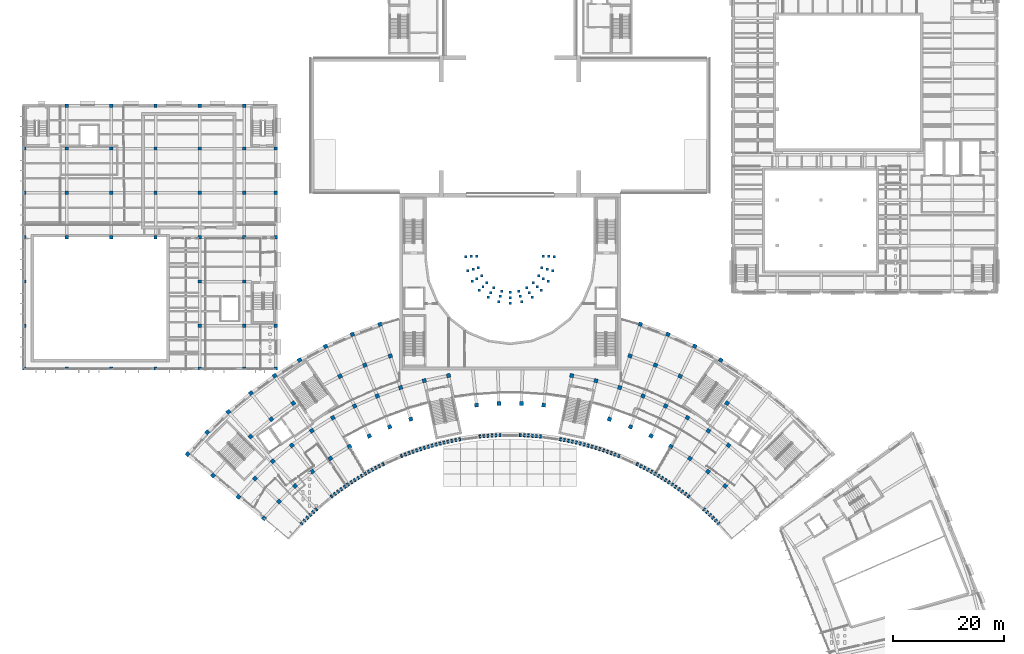
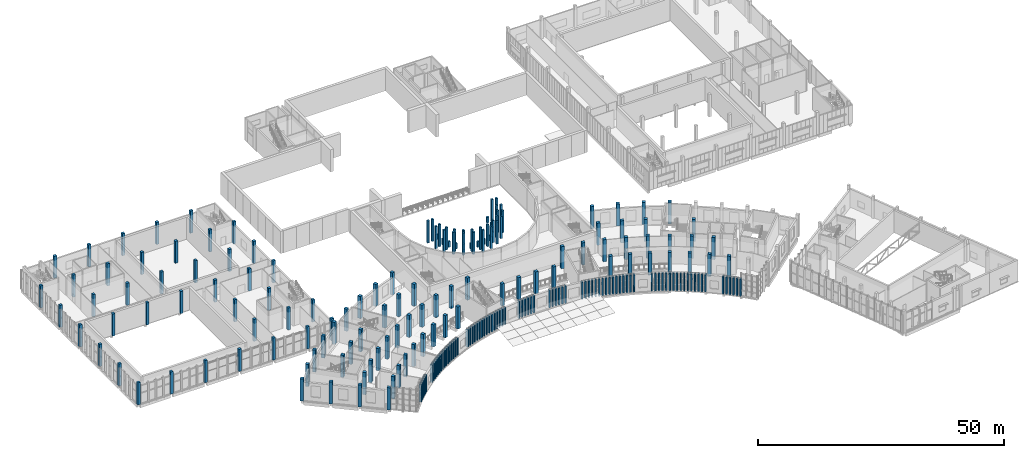
# One storey, part 1 of 112: 230 columns.
"""IFC4 building model written with IfcOpenShell, lengths in metres."""

from ifc_helpers import new_model, si_unit, direction, frame, origin, origin_2d, place, context, subcontext, project, spatial, rectangle, extrude, material, material_profile, profile_set, type_object, element, save


model = new_model("IFC4")

# Units and contexts
model_context = context("Model", 3, precision=1e-05, world=origin(), true_north=direction((0.0, 1.0)))
body_context = subcontext(model_context, "Body", "Model", "MODEL_VIEW")
ifc_project = project(units=[si_unit("LENGTHUNIT", "METRE"), si_unit("AREAUNIT", "SQUARE_METRE"), si_unit("VOLUMEUNIT", "CUBIC_METRE"), si_unit("PLANEANGLEUNIT", "RADIAN"), si_unit("MASSUNIT", "GRAM", prefix="KILO")], contexts=[model_context])

# Site, building, storey
site_placement = place(None, origin())
site = spatial("IfcSite", under=ifc_project, at=site_placement, CompositionType="ELEMENT")
building_placement = place(site_placement, origin())
building = spatial("IfcBuilding", under=site, at=building_placement, Name="Lunette Opera House", CompositionType="ELEMENT")
storey_placement = place(building_placement, frame((0.0, 0.0, 6.0)))
storey = spatial("IfcBuildingStorey", under=building, at=storey_placement, Name="L01", CompositionType="ELEMENT", Elevation=6.0)

# Columns
ifc_material_1 = material(Name="Concrete C40/50", Category="concrete")
ifc_material_profile_1 = material_profile(ifc_material_1, rectangle(XDim=0.300048828125, YDim=0.60009765625, at=origin_2d()), Name="PIER 300X600")
ifc_profile_set_1 = profile_set([ifc_material_profile_1], Name="Concrete C40/50")
column_type_1 = type_object("IfcColumnType", Name="PIER 300X600", PredefinedType="COLUMN", material=ifc_profile_set_1)
for number, where, z_axis, x_axis, name in (
    (1, (58.37890625, 36.3310546875, 0.0), (0.0, 0.0, 1.0), (0.694658370459, 0.719339800339, 0.0), "col-FC-L01-P001"),
    (2, (58.888916015625, 36.85205078125, 0.0), (0.0, 0.0, 1.0), (0.704634209964, 0.709570736537, 0.0), "col-FC-L01-P002"),
    (3, (59.407958984375, 37.366943359375, 0.0), (0.0, 0.0, 1.0), (0.714472679633, 0.699663340513, 0.0), "col-FC-L01-P003"),
    (4, (59.93310546875, 37.8740234375, 0.0), (0.0, 0.0, 1.0), (0.724171861437, 0.689619543736, 0.0), "col-FC-L01-P004"),
    (5, (60.465087890625, 38.3740234375, 0.0), (0.0, 0.0, 1.0), (0.733729864503, 0.679441304262, 0.0), "col-FC-L01-P005"),
    (6, (61.00390625, 38.865966796875, 0.0), (0.0, 0.0, 1.0), (0.743144825477, 0.669130606359, 0.0), "col-FC-L01-P006"),
    (7, (63.801025390625, 41.212890625, 0.0), (0.0, 0.0, 1.0), (0.788010753607, 0.615661475326, 0.0), "col-FC-L01-P007"),
    (8, (64.37890625, 41.658935546875, 0.0), (0.0, 0.0, 1.0), (0.796529918024, 0.604599114862, 0.0), "col-FC-L01-P008"),
    (9, (64.964111328125, 42.095947265625, 0.0), (0.0, 0.0, 1.0), (0.804893797356, 0.593418886604, 0.0), "col-FC-L01-P009"),
    (10, (65.554931640625, 42.52490234375, 0.0), (0.0, 0.0, 1.0), (0.813100761047, 0.582122970157, 0.0), "col-FC-L01-P010"),
    (11, (66.152099609375, 42.946044921875, 0.0), (0.0, 0.0, 1.0), (0.821149209134, 0.570713567684, 0.0), "col-FC-L01-P011"),
    (12, (66.75390625, 43.35888671875, 0.0), (0.0, 0.0, 1.0), (0.829037572555, 0.559192903471, 0.0), "col-FC-L01-P012"),
    (13, (67.362060546875, 43.762939453125, 0.0), (0.0, 0.0, 1.0), (0.836764313459, 0.547563223493, 0.0), "col-FC-L01-P013"),
    (14, (67.97607421875, 44.157958984375, 0.0), (0.0, 0.0, 1.0), (0.844327925502, 0.535826794979, 0.0), "col-FC-L01-P014"),
    (15, (68.595947265625, 44.544921875, 0.0), (0.0, 0.0, 1.0), (0.851726934143, 0.52398590597, 0.0), "col-FC-L01-P015"),
    (16, (69.219970703125, 44.924072265625, 0.0), (0.0, 0.0, 1.0), (0.858959896931, 0.512042864871, 0.0), "col-FC-L01-P016"),
    (17, (69.85009765625, 45.29296875, 0.0), (0.0, 0.0, 1.0), (0.866025403784, 0.5, 0.0), "col-FC-L01-P017"),
    (18, (70.485107421875, 45.654052734375, 0.0), (0.0, 0.0, 1.0), (0.87292207727, 0.487859659139, 0.0), "col-FC-L01-P018"),
    (19, (71.125, 46.006103515625, 0.0), (0.0, 0.0, 1.0), (0.879648572867, 0.47562420907, 0.0), "col-FC-L01-P019"),
    (20, (71.77001953125, 46.347900390625, 0.0), (0.0, 0.0, 1.0), (0.886203579231, 0.46329603512, 0.0), "col-FC-L01-P020"),
    (21, (72.4189453125, 46.681884765625, 0.0), (0.0, 0.0, 1.0), (0.892585818452, 0.450877540689, 0.0), "col-FC-L01-P021"),
    (22, (73.072998046875, 47.007080078125, 0.0), (0.0, 0.0, 1.0), (0.898794046299, 0.438371146789, 0.0), "col-FC-L01-P022"),
    (23, (76.407958984375, 48.491943359375, 0.0), (0.0, 0.0, 1.0), (0.927183854567, 0.374606593416, 0.0), "col-FC-L01-P023"),
    (24, (77.0869140625, 48.760986328125, 0.0), (0.0, 0.0, 1.0), (0.932323801216, 0.361624570082, 0.0), "col-FC-L01-P024"),
    (25, (77.77001953125, 49.02001953125, 0.0), (0.0, 0.0, 1.0), (0.937281989492, 0.348572047322, 0.0), "col-FC-L01-P025"),
    (26, (78.4560546875, 49.27001953125, 0.0), (0.0, 0.0, 1.0), (0.942057452787, 0.33545156975, 0.0), "col-FC-L01-P026"),
    (27, (79.14599609375, 49.510009765625, 0.0), (0.0, 0.0, 1.0), (0.946649260116, 0.322265695231, 0.0), "col-FC-L01-P027"),
    (28, (79.837890625, 49.739990234375, 0.0), (0.0, 0.0, 1.0), (0.951056516295, 0.309016994375, 0.0), "col-FC-L01-P028"),
    (29, (80.533935546875, 49.9609375, 0.0), (0.0, 0.0, 1.0), (0.955278362122, 0.295708050044, 0.0), "col-FC-L01-P029"),
    (30, (81.23388671875, 50.172119140625, 0.0), (0.0, 0.0, 1.0), (0.95931397454, 0.282341456843, 0.0), "col-FC-L01-P030"),
    (31, (81.93505859375, 50.373046875, 0.0), (0.0, 0.0, 1.0), (0.963162566798, 0.268919820615, 0.0), "col-FC-L01-P031"),
    (32, (82.639892578125, 50.56494140625, 0.0), (0.0, 0.0, 1.0), (0.966823388604, 0.255445757936, 0.0), "col-FC-L01-P032"),
    (33, (83.346923828125, 50.74609375, 0.0), (0.0, 0.0, 1.0), (0.970295726276, 0.2419218956, 0.0), "col-FC-L01-P033"),
    (34, (84.056884765625, 50.91796875, 0.0), (0.0, 0.0, 1.0), (0.973578902873, 0.228350870111, 0.0), "col-FC-L01-P034"),
    (35, (84.76904296875, 51.080078125, 0.0), (0.0, 0.0, 1.0), (0.976672278334, 0.214735327167, 0.0), "col-FC-L01-P035"),
    (36, (85.48388671875, 51.23193359375, 0.0), (0.0, 0.0, 1.0), (0.979575249599, 0.201077921146, 0.0), "col-FC-L01-P036"),
    (37, (86.199951171875, 51.3740234375, 0.0), (0.0, 0.0, 1.0), (0.982287250729, 0.187381314586, 0.0), "col-FC-L01-P037"),
    (38, (86.91796875, 51.5048828125, 0.0), (0.0, 0.0, 1.0), (0.984807753012, 0.173648177667, 0.0), "col-FC-L01-P038"),
    (39, (90.532958984375, 52.012939453125, 0.0), (0.0, 0.0, 1.0), (0.994521895368, 0.104528463268, 0.0), "col-FC-L01-P039"),
    (40, (91.260009765625, 52.0849609375, 0.0), (0.0, 0.0, 1.0), (0.995884398616, 0.090632580198, 0.0), "col-FC-L01-P040"),
    (41, (91.988037109375, 52.14599609375, 0.0), (0.0, 0.0, 1.0), (0.997052752227, 0.076719028127, 0.0), "col-FC-L01-P041"),
    (42, (92.716064453125, 52.197021484375, 0.0), (0.0, 0.0, 1.0), (0.998026728428, 0.062790519529, 0.0), "col-FC-L01-P042"),
    (43, (93.445068359375, 52.238037109375, 0.0), (0.0, 0.0, 1.0), (0.998806137341, 0.048849769796, 0.0), "col-FC-L01-P043"),
    (44, (94.175048828125, 52.26806640625, 0.0), (0.0, 0.0, 1.0), (0.999390827019, 0.034899496703, 0.0), "col-FC-L01-P044"),
    (45, (97.824951171875, 52.26806640625, 0.0), (0.0, 0.0, 1.0), (0.999390827019, -0.034899496703, 0.0), "col-FC-L01-P045"),
    (46, (98.554931640625, 52.238037109375, 0.0), (0.0, 0.0, 1.0), (0.998806137341, -0.048849769796, 0.0), "col-FC-L01-P046"),
    (47, (99.283935546875, 52.197021484375, 0.0), (0.0, 0.0, 1.0), (0.998026728428, -0.062790519529, 0.0), "col-FC-L01-P047"),
    (48, (100.011962890625, 52.14599609375, 0.0), (0.0, 0.0, 1.0), (0.997052752227, -0.076719028127, 0.0), "col-FC-L01-P048"),
    (49, (100.739990234375, 52.0849609375, 0.0), (0.0, 0.0, 1.0), (0.995884398616, -0.090632580198, 0.0), "col-FC-L01-P049"),
    (50, (101.467041015625, 52.012939453125, 0.0), (0.0, 0.0, 1.0), (0.994521895368, -0.104528463268, 0.0), "col-FC-L01-P050"),
    (51, (105.08203125, 51.5048828125, 0.0), (0.0, 0.0, 1.0), (0.984807753012, -0.173648177667, 0.0), "col-FC-L01-P051"),
    (52, (105.800048828125, 51.3740234375, 0.0), (0.0, 0.0, 1.0), (0.982287250729, -0.187381314586, 0.0), "col-FC-L01-P052"),
    (53, (106.51611328125, 51.23193359375, 0.0), (0.0, 0.0, 1.0), (0.979575249599, -0.201077921146, 0.0), "col-FC-L01-P053"),
    (54, (107.23095703125, 51.080078125, 0.0), (0.0, 0.0, 1.0), (0.976672278334, -0.214735327167, 0.0), "col-FC-L01-P054"),
    (55, (107.943115234375, 50.91796875, 0.0), (0.0, 0.0, 1.0), (0.973578902873, -0.228350870111, 0.0), "col-FC-L01-P055"),
    (56, (108.653076171875, 50.74609375, 0.0), (0.0, 0.0, 1.0), (0.970295726276, -0.2419218956, 0.0), "col-FC-L01-P056"),
    (57, (109.360107421875, 50.56494140625, 0.0), (0.0, 0.0, 1.0), (0.966823388604, -0.255445757936, 0.0), "col-FC-L01-P057"),
    (58, (110.06494140625, 50.373046875, 0.0), (0.0, 0.0, 1.0), (0.963162566798, -0.268919820615, 0.0), "col-FC-L01-P058"),
    (59, (110.76611328125, 50.172119140625, 0.0), (0.0, 0.0, 1.0), (0.95931397454, -0.282341456843, 0.0), "col-FC-L01-P059"),
    (60, (111.466064453125, 49.9609375, 0.0), (0.0, 0.0, 1.0), (0.955278362122, -0.295708050044, 0.0), "col-FC-L01-P060"),
    (61, (112.162109375, 49.739990234375, 0.0), (0.0, 0.0, 1.0), (0.951056516295, -0.309016994375, 0.0), "col-FC-L01-P061"),
    (62, (112.85400390625, 49.510009765625, 0.0), (0.0, 0.0, 1.0), (0.946649260116, -0.322265695231, 0.0), "col-FC-L01-P062"),
    (63, (113.5439453125, 49.27001953125, 0.0), (0.0, 0.0, 1.0), (0.942057452787, -0.33545156975, 0.0), "col-FC-L01-P063"),
    (64, (114.22998046875, 49.02001953125, 0.0), (0.0, 0.0, 1.0), (0.937281989492, -0.348572047322, 0.0), "col-FC-L01-P064"),
    (65, (114.9130859375, 48.760986328125, 0.0), (0.0, 0.0, 1.0), (0.932323801216, -0.361624570082, 0.0), "col-FC-L01-P065"),
    (66, (115.592041015625, 48.491943359375, 0.0), (0.0, 0.0, 1.0), (0.927183854567, -0.374606593416, 0.0), "col-FC-L01-P066"),
    (67, (118.927001953125, 47.007080078125, 0.0), (0.0, 0.0, 1.0), (0.898794046299, -0.438371146789, 0.0), "col-FC-L01-P067"),
    (68, (119.5810546875, 46.681884765625, 0.0), (0.0, 0.0, 1.0), (0.892585818452, -0.450877540689, 0.0), "col-FC-L01-P068"),
    (69, (120.22998046875, 46.347900390625, 0.0), (0.0, 0.0, 1.0), (0.886203579231, -0.46329603512, 0.0), "col-FC-L01-P069"),
    (70, (120.875, 46.006103515625, 0.0), (0.0, 0.0, 1.0), (0.879648572867, -0.47562420907, 0.0), "col-FC-L01-P070"),
    (71, (121.514892578125, 45.654052734375, 0.0), (0.0, 0.0, 1.0), (0.87292207727, -0.487859659139, 0.0), "col-FC-L01-P071"),
    (72, (122.14990234375, 45.29296875, 0.0), (0.0, 0.0, 1.0), (0.866025403784, -0.5, 0.0), "col-FC-L01-P072"),
    (73, (122.780029296875, 44.924072265625, 0.0), (0.0, 0.0, 1.0), (0.858959896931, -0.512042864871, 0.0), "col-FC-L01-P073"),
    (74, (123.404052734375, 44.544921875, 0.0), (0.0, 0.0, 1.0), (0.851726934143, -0.52398590597, 0.0), "col-FC-L01-P074"),
    (75, (124.02392578125, 44.157958984375, 0.0), (0.0, 0.0, 1.0), (0.844327925502, -0.535826794979, 0.0), "col-FC-L01-P075"),
    (76, (124.637939453125, 43.762939453125, 0.0), (0.0, 0.0, 1.0), (0.836764313459, -0.547563223493, 0.0), "col-FC-L01-P076"),
    (77, (125.24609375, 43.35888671875, 0.0), (0.0, 0.0, 1.0), (0.829037572555, -0.559192903471, 0.0), "col-FC-L01-P077"),
    (78, (125.847900390625, 42.946044921875, 0.0), (0.0, 0.0, 1.0), (0.821149209134, -0.570713567684, 0.0), "col-FC-L01-P078"),
    (79, (126.445068359375, 42.52490234375, 0.0), (0.0, 0.0, 1.0), (0.813100761047, -0.582122970157, 0.0), "col-FC-L01-P079"),
    (80, (127.035888671875, 42.095947265625, 0.0), (0.0, 0.0, 1.0), (0.804893797356, -0.593418886604, 0.0), "col-FC-L01-P080"),
    (81, (127.62109375, 41.658935546875, 0.0), (0.0, 0.0, 1.0), (0.796529918024, -0.604599114862, 0.0), "col-FC-L01-P081"),
    (82, (128.198974609375, 41.212890625, 0.0), (0.0, 0.0, 1.0), (0.788010753607, -0.615661475326, 0.0), "col-FC-L01-P082"),
    (83, (130.99609375, 38.865966796875, 0.0), (0.0, 0.0, 1.0), (0.743144825477, -0.669130606359, 0.0), "col-FC-L01-P083"),
    (84, (131.534912109375, 38.3740234375, 0.0), (0.0, 0.0, 1.0), (0.733729864503, -0.679441304262, 0.0), "col-FC-L01-P084"),
    (85, (132.06689453125, 37.8740234375, 0.0), (0.0, 0.0, 1.0), (0.724171861437, -0.689619543736, 0.0), "col-FC-L01-P085"),
    (86, (132.592041015625, 37.366943359375, 0.0), (0.0, 0.0, 1.0), (0.714472679633, -0.699663340513, 0.0), "col-FC-L01-P086"),
    (87, (133.111083984375, 36.85205078125, 0.0), (0.0, 0.0, 1.0), (0.704634209964, -0.709570736537, 0.0), "col-FC-L01-P087"),
    (88, (133.62109375, 36.3310546875, 0.0), (0.0, 0.0, 1.0), (0.694658370459, -0.719339800339, 0.0), "col-FC-L01-P088"),
):
    element("IfcColumn", number, at=place(storey_placement, frame(where, z_axis=z_axis, x_axis=x_axis)), inside=storey, type_object=column_type_1, Name=name, PredefinedType="COLUMN", context=body_context, shape_type="SweptSolid", body=[
        extrude(rectangle(XDim=0.300048828125, YDim=0.60009765625, at=origin_2d()), origin(), (0.0, 0.0, 1.0), 4.300048828125),
    ])
ifc_material_2 = material(Name="Concrete C40/50", Category="concrete")
ifc_material_profile_2 = material_profile(ifc_material_2, rectangle(XDim=0.449951171875, YDim=0.449951171875, at=origin_2d()), Name="RC COLUMN 450X450")
ifc_profile_set_2 = profile_set([ifc_material_profile_2], Name="Concrete C40/50")
column_type_2 = type_object("IfcColumnType", Name="RC COLUMN 450X450", PredefinedType="COLUMN", material=ifc_profile_set_2)
for number, where, z_axis, x_axis, name in (
    (89, (90.0, 84.590087890625, 0.0), (0.0, 0.0, 1.0), (1.0, 0.0, 0.0), "col-AU-L01-TCL02-1"),
    (90, (90.279052734375, 82.467041015625, 0.0), (0.0, 0.0, 1.0), (1.0, 0.0, 0.0), "col-AU-L01-TCL02-2"),
    (91, (90.87109375, 81.0390625, 0.0), (0.0, 0.0, 1.0), (1.0, 0.0, 0.0), "col-AU-L01-TCL02-3"),
    (92, (91.81201171875, 79.81201171875, 0.0), (0.0, 0.0, 1.0), (1.0, 0.0, 0.0), "col-AU-L01-TCL02-4"),
    (93, (93.0390625, 78.87109375, 0.0), (0.0, 0.0, 1.0), (1.0, 0.0, 0.0), "col-AU-L01-TCL02-5"),
    (94, (94.467041015625, 78.279052734375, 0.0), (0.0, 0.0, 1.0), (1.0, 0.0, 0.0), "col-AU-L01-TCL02-6"),
    (95, (96.0, 78.077880859375, 0.0), (0.0, 0.0, 1.0), (1.0, 0.0, 0.0), "col-AU-L01-TCL02-7"),
    (96, (97.532958984375, 78.279052734375, 0.0), (0.0, 0.0, 1.0), (1.0, 0.0, 0.0), "col-AU-L01-TCL02-8"),
    (97, (98.9609375, 78.87109375, 0.0), (0.0, 0.0, 1.0), (1.0, 0.0, 0.0), "col-AU-L01-TCL02-9"),
    (98, (100.18798828125, 79.81201171875, 0.0), (0.0, 0.0, 1.0), (1.0, 0.0, 0.0), "col-AU-L01-TCL02-10"),
    (99, (101.12890625, 81.0390625, 0.0), (0.0, 0.0, 1.0), (1.0, 0.0, 0.0), "col-AU-L01-TCL02-11"),
    (100, (101.720947265625, 82.467041015625, 0.0), (0.0, 0.0, 1.0), (1.0, 0.0, 0.0), "col-AU-L01-TCL02-12"),
    (101, (102.0, 84.590087890625, 0.0), (0.0, 0.0, 1.0), (1.0, 0.0, 0.0), "col-AU-L01-TCL02-13"),
):
    element("IfcColumn", number, at=place(storey_placement, frame(where, z_axis=z_axis, x_axis=x_axis)), inside=storey, type_object=column_type_2, Name=name, PredefinedType="COLUMN", context=body_context, shape_type="SweptSolid", body=[
        extrude(rectangle(XDim=0.449951171875, YDim=0.449951171875, at=origin_2d()), origin(), (0.0, 0.0, 1.0), 1.39990234375),
    ])
for number, where, z_axis, x_axis, name in (
    (102, (89.0, 84.52392578125, 0.0), (0.0, 0.0, 1.0), (1.0, 0.0, 0.0), "col-AU-L01-TCL03-1"),
    (103, (89.304931640625, 82.2060546875, 0.0), (0.0, 0.0, 1.0), (1.0, 0.0, 0.0), "col-AU-L01-TCL03-2"),
    (104, (89.998046875, 80.534912109375, 0.0), (0.0, 0.0, 1.0), (1.0, 0.0, 0.0), "col-AU-L01-TCL03-3"),
    (105, (91.09912109375, 79.09912109375, 0.0), (0.0, 0.0, 1.0), (1.0, 0.0, 0.0), "col-AU-L01-TCL03-4"),
    (106, (92.534912109375, 77.998046875, 0.0), (0.0, 0.0, 1.0), (1.0, 0.0, 0.0), "col-AU-L01-TCL03-5"),
    (107, (94.2060546875, 77.304931640625, 0.0), (0.0, 0.0, 1.0), (1.0, 0.0, 0.0), "col-AU-L01-TCL03-6"),
    (108, (96.0, 77.069091796875, 0.0), (0.0, 0.0, 1.0), (1.0, 0.0, 0.0), "col-AU-L01-TCL03-7"),
    (109, (97.7939453125, 77.304931640625, 0.0), (0.0, 0.0, 1.0), (1.0, 0.0, 0.0), "col-AU-L01-TCL03-8"),
    (110, (99.465087890625, 77.998046875, 0.0), (0.0, 0.0, 1.0), (1.0, 0.0, 0.0), "col-AU-L01-TCL03-9"),
    (111, (100.90087890625, 79.09912109375, 0.0), (0.0, 0.0, 1.0), (1.0, 0.0, 0.0), "col-AU-L01-TCL03-10"),
    (112, (102.001953125, 80.534912109375, 0.0), (0.0, 0.0, 1.0), (1.0, 0.0, 0.0), "col-AU-L01-TCL03-11"),
    (113, (102.695068359375, 82.2060546875, 0.0), (0.0, 0.0, 1.0), (1.0, 0.0, 0.0), "col-AU-L01-TCL03-12"),
    (114, (103.0, 84.52392578125, 0.0), (0.0, 0.0, 1.0), (1.0, 0.0, 0.0), "col-AU-L01-TCL03-13"),
    (115, (88.0, 84.458984375, 0.0), (0.0, 0.0, 1.0), (1.0, 0.0, 0.0), "col-AU-L01-TCL04-1"),
    (116, (88.3310546875, 81.945068359375, 0.0), (0.0, 0.0, 1.0), (1.0, 0.0, 0.0), "col-AU-L01-TCL04-2"),
    (117, (89.1240234375, 80.030029296875, 0.0), (0.0, 0.0, 1.0), (1.0, 0.0, 0.0), "col-AU-L01-TCL04-3"),
    (118, (90.385986328125, 78.385986328125, 0.0), (0.0, 0.0, 1.0), (1.0, 0.0, 0.0), "col-AU-L01-TCL04-4"),
    (119, (92.030029296875, 77.1240234375, 0.0), (0.0, 0.0, 1.0), (1.0, 0.0, 0.0), "col-AU-L01-TCL04-5"),
    (120, (93.945068359375, 76.3310546875, 0.0), (0.0, 0.0, 1.0), (1.0, 0.0, 0.0), "col-AU-L01-TCL04-6"),
    (121, (96.0, 76.06005859375, 0.0), (0.0, 0.0, 1.0), (1.0, 0.0, 0.0), "col-AU-L01-TCL04-7"),
    (122, (98.054931640625, 76.3310546875, 0.0), (0.0, 0.0, 1.0), (1.0, 0.0, 0.0), "col-AU-L01-TCL04-8"),
    (123, (99.969970703125, 77.1240234375, 0.0), (0.0, 0.0, 1.0), (1.0, 0.0, 0.0), "col-AU-L01-TCL04-9"),
    (124, (101.614013671875, 78.385986328125, 0.0), (0.0, 0.0, 1.0), (1.0, 0.0, 0.0), "col-AU-L01-TCL04-10"),
    (125, (102.8759765625, 80.030029296875, 0.0), (0.0, 0.0, 1.0), (1.0, 0.0, 0.0), "col-AU-L01-TCL04-11"),
    (126, (103.6689453125, 81.945068359375, 0.0), (0.0, 0.0, 1.0), (1.0, 0.0, 0.0), "col-AU-L01-TCL04-12"),
    (127, (104.0, 84.458984375, 0.0), (0.0, 0.0, 1.0), (1.0, 0.0, 0.0), "col-AU-L01-TCL04-13"),
):
    element("IfcColumn", number, at=place(storey_placement, frame(where, z_axis=z_axis, x_axis=x_axis)), inside=storey, type_object=column_type_2, Name=name, PredefinedType="COLUMN", context=body_context, shape_type="SweptSolid", body=[
        extrude(rectangle(XDim=0.449951171875, YDim=0.449951171875, at=origin_2d()), origin(), (0.0, 0.0, 1.0), 5.5),
    ])
ifc_material_3 = material(Name="Concrete C35/45", Category="concrete")
ifc_material_profile_3 = material_profile(ifc_material_3, rectangle(XDim=0.60009765625, YDim=0.60009765625, at=origin_2d()), Name="RC COLUMN 600X600")
ifc_profile_set_3 = profile_set([ifc_material_profile_3], Name="Concrete C35/45")
column_type_3 = type_object("IfcColumnType", Name="RC COLUMN 600X600", PredefinedType="COLUMN", material=ifc_profile_set_3)
for number, where, z_axis, x_axis, name in (
    (128, (8.300048828125, 64.300048828125, 0.0), (0.0, 0.0, 1.0), (1.0, 0.0, 0.0), "col-RW-L01-C00"),
    (129, (8.300048828125, 72.0, 0.0), (0.0, 0.0, 1.0), (1.0, 0.0, 0.0), "col-RW-L01-C01"),
    (130, (8.300048828125, 80.0, 0.0), (0.0, 0.0, 1.0), (1.0, 0.0, 0.0), "col-RW-L01-C02"),
    (131, (8.300048828125, 88.0, 0.0), (0.0, 0.0, 1.0), (1.0, 0.0, 0.0), "col-RW-L01-C03"),
    (132, (8.300048828125, 96.0, 0.0), (0.0, 0.0, 1.0), (1.0, 0.0, 0.0), "col-RW-L01-C04"),
    (133, (8.300048828125, 104.0, 0.0), (0.0, 0.0, 1.0), (1.0, 0.0, 0.0), "col-RW-L01-C05"),
    (134, (16.0, 64.300048828125, 0.0), (0.0, 0.0, 1.0), (1.0, 0.0, 0.0), "col-RW-L01-C10"),
    (135, (16.0, 88.0, 0.0), (0.0, 0.0, 1.0), (1.0, 0.0, 0.0), "col-RW-L01-C13"),
    (136, (16.0, 96.0, 0.0), (0.0, 0.0, 1.0), (1.0, 0.0, 0.0), "col-RW-L01-C14"),
    (137, (16.0, 104.0, 0.0), (0.0, 0.0, 1.0), (1.0, 0.0, 0.0), "col-RW-L01-C15"),
    (138, (16.0, 111.699951171875, 0.0), (0.0, 0.0, 1.0), (1.0, 0.0, 0.0), "col-RW-L01-C16"),
    (139, (24.0, 64.300048828125, 0.0), (0.0, 0.0, 1.0), (1.0, 0.0, 0.0), "col-RW-L01-C20"),
    (140, (24.0, 88.0, 0.0), (0.0, 0.0, 1.0), (1.0, 0.0, 0.0), "col-RW-L01-C23"),
    (141, (24.0, 96.0, 0.0), (0.0, 0.0, 1.0), (1.0, 0.0, 0.0), "col-RW-L01-C24"),
    (142, (24.0, 104.0, 0.0), (0.0, 0.0, 1.0), (1.0, 0.0, 0.0), "col-RW-L01-C25"),
    (143, (24.0, 111.699951171875, 0.0), (0.0, 0.0, 1.0), (1.0, 0.0, 0.0), "col-RW-L01-C26"),
    (144, (32.0, 64.300048828125, 0.0), (0.0, 0.0, 1.0), (1.0, 0.0, 0.0), "col-RW-L01-C30"),
    (145, (32.0, 88.0, 0.0), (0.0, 0.0, 1.0), (1.0, 0.0, 0.0), "col-RW-L01-C33"),
    (146, (32.0, 96.0, 0.0), (0.0, 0.0, 1.0), (1.0, 0.0, 0.0), "col-RW-L01-C34"),
    (147, (32.0, 104.0, 0.0), (0.0, 0.0, 1.0), (1.0, 0.0, 0.0), "col-RW-L01-C35"),
    (148, (32.0, 111.699951171875, 0.0), (0.0, 0.0, 1.0), (1.0, 0.0, 0.0), "col-RW-L01-C36"),
    (149, (40.0, 64.300048828125, 0.0), (0.0, 0.0, 1.0), (1.0, 0.0, 0.0), "col-RW-L01-C40"),
    (150, (40.0, 72.0, 0.0), (0.0, 0.0, 1.0), (1.0, 0.0, 0.0), "col-RW-L01-C41"),
    (151, (40.0, 80.0, 0.0), (0.0, 0.0, 1.0), (1.0, 0.0, 0.0), "col-RW-L01-C42"),
    (152, (40.0, 88.0, 0.0), (0.0, 0.0, 1.0), (1.0, 0.0, 0.0), "col-RW-L01-C43"),
    (153, (40.0, 96.0, 0.0), (0.0, 0.0, 1.0), (1.0, 0.0, 0.0), "col-RW-L01-C44"),
    (154, (40.0, 104.0, 0.0), (0.0, 0.0, 1.0), (1.0, 0.0, 0.0), "col-RW-L01-C45"),
    (155, (40.0, 111.699951171875, 0.0), (0.0, 0.0, 1.0), (1.0, 0.0, 0.0), "col-RW-L01-C46"),
    (156, (48.0, 64.300048828125, 0.0), (0.0, 0.0, 1.0), (1.0, 0.0, 0.0), "col-RW-L01-C50"),
    (157, (48.0, 72.0, 0.0), (0.0, 0.0, 1.0), (1.0, 0.0, 0.0), "col-RW-L01-C51"),
    (158, (48.0, 80.0, 0.0), (0.0, 0.0, 1.0), (1.0, 0.0, 0.0), "col-RW-L01-C52"),
    (159, (48.0, 88.0, 0.0), (0.0, 0.0, 1.0), (1.0, 0.0, 0.0), "col-RW-L01-C53"),
    (160, (48.0, 96.0, 0.0), (0.0, 0.0, 1.0), (1.0, 0.0, 0.0), "col-RW-L01-C54"),
    (161, (48.0, 104.0, 0.0), (0.0, 0.0, 1.0), (1.0, 0.0, 0.0), "col-RW-L01-C55"),
    (162, (48.0, 111.699951171875, 0.0), (0.0, 0.0, 1.0), (1.0, 0.0, 0.0), "col-RW-L01-C56"),
    (163, (53.699951171875, 64.300048828125, 0.0), (0.0, 0.0, 1.0), (1.0, 0.0, 0.0), "col-RW-L01-C60"),
    (164, (53.699951171875, 72.0, 0.0), (0.0, 0.0, 1.0), (1.0, 0.0, 0.0), "col-RW-L01-C61"),
    (165, (53.699951171875, 88.0, 0.0), (0.0, 0.0, 1.0), (1.0, 0.0, 0.0), "col-RW-L01-C63"),
    (166, (53.699951171875, 96.0, 0.0), (0.0, 0.0, 1.0), (1.0, 0.0, 0.0), "col-RW-L01-C64"),
    (167, (53.699951171875, 104.0, 0.0), (0.0, 0.0, 1.0), (1.0, 0.0, 0.0), "col-RW-L01-C65"),
):
    element("IfcColumn", number, at=place(storey_placement, frame(where, z_axis=z_axis, x_axis=x_axis)), inside=storey, type_object=column_type_3, Name=name, PredefinedType="COLUMN", context=body_context, shape_type="SweptSolid", body=[
        extrude(rectangle(XDim=0.60009765625, YDim=0.60009765625, at=origin_2d()), origin(), (0.0, 0.0, 1.0), 5.5),
    ])
ifc_material_4 = material(Name="Concrete C35/45", Category="concrete")
ifc_material_profile_4 = material_profile(ifc_material_4, rectangle(XDim=0.699951171875, YDim=0.699951171875, at=origin_2d()), Name="RC COLUMN 700X700")
ifc_profile_set_4 = profile_set([ifc_material_profile_4], Name="Concrete C35/45")
column_type_4 = type_object("IfcColumnType", Name="RC COLUMN 700X700", PredefinedType="COLUMN", material=ifc_profile_set_4)
for number, where, z_axis, x_axis, name in (
    (168, (51.569091796875, 37.281982421875, 0.0), (0.0, 0.0, 1.0), (0.642787609687, 0.766044443119, 0.0), "col-FC-L01-AR-M1-RL-01"),
    (169, (54.278076171875, 40.2900390625, 0.0), (0.0, 0.0, 1.0), (0.694658370459, 0.719339800339, 0.0), "col-FC-L01-AR-M1-RL-02"),
    (170, (57.18994140625, 43.10205078125, 0.0), (0.0, 0.0, 1.0), (0.743144825477, 0.669130606359, 0.0), "col-FC-L01-AR-M1-RL-03"),
    (171, (60.2919921875, 45.705078125, 0.0), (0.0, 0.0, 1.0), (0.788010753607, 0.615661475326, 0.0), "col-FC-L01-AR-M1-RL-04"),
    (172, (63.56689453125, 48.083984375, 0.0), (0.0, 0.0, 1.0), (0.829037572555, 0.559192903471, 0.0), "col-FC-L01-AR-M1-RL-05"),
    (173, (67.0, 50.22900390625, 0.0), (0.0, 0.0, 1.0), (0.866025403784, 0.5, 0.0), "col-FC-L01-AR-M1-RL-06"),
    (174, (70.573974609375, 52.1298828125, 0.0), (0.0, 0.0, 1.0), (0.898794046299, 0.438371146789, 0.0), "col-FC-L01-AR-M1-RL-07"),
    (175, (74.27294921875, 53.777099609375, 0.0), (0.0, 0.0, 1.0), (0.927183854567, 0.374606593416, 0.0), "col-FC-L01-AR-M1-RL-08"),
    (176, (78.076904296875, 55.160888671875, 0.0), (0.0, 0.0, 1.0), (0.951056516295, 0.309016994375, 0.0), "col-FC-L01-AR-M1-RL-09"),
    (177, (89.93701171875, 57.681884765625, 0.0), (0.0, 0.0, 1.0), (0.994521895368, 0.104528463268, 0.0), "col-FC-L01-AR-M1-RL-12"),
    (178, (93.97607421875, 57.965087890625, 0.0), (0.0, 0.0, 1.0), (0.999390827019, 0.034899496703, 0.0), "col-FC-L01-AR-M1-RL-13"),
    (179, (98.02392578125, 57.965087890625, 0.0), (0.0, 0.0, 1.0), (0.999390827019, -0.034899496703, 0.0), "col-FC-L01-AR-M1-RL-14"),
    (180, (102.06298828125, 57.681884765625, 0.0), (0.0, 0.0, 1.0), (0.994521895368, -0.104528463268, 0.0), "col-FC-L01-AR-M1-RL-15"),
    (181, (113.923095703125, 55.160888671875, 0.0), (0.0, 0.0, 1.0), (0.951056516295, -0.309016994375, 0.0), "col-FC-L01-AR-M1-RL-18"),
    (182, (117.72705078125, 53.777099609375, 0.0), (0.0, 0.0, 1.0), (0.927183854567, -0.374606593416, 0.0), "col-FC-L01-AR-M1-RL-19"),
    (183, (121.426025390625, 52.1298828125, 0.0), (0.0, 0.0, 1.0), (0.898794046299, -0.438371146789, 0.0), "col-FC-L01-AR-M1-RL-20"),
    (184, (125.0, 50.22900390625, 0.0), (0.0, 0.0, 1.0), (0.866025403784, -0.5, 0.0), "col-FC-L01-AR-M1-RL-21"),
    (185, (128.43310546875, 48.083984375, 0.0), (0.0, 0.0, 1.0), (0.829037572555, -0.559192903471, 0.0), "col-FC-L01-AR-M1-RL-22"),
    (186, (131.7080078125, 45.705078125, 0.0), (0.0, 0.0, 1.0), (0.788010753607, -0.615661475326, 0.0), "col-FC-L01-AR-M1-RL-23"),
    (187, (134.81005859375, 43.10205078125, 0.0), (0.0, 0.0, 1.0), (0.743144825477, -0.669130606359, 0.0), "col-FC-L01-AR-M1-RL-24"),
    (188, (46.972900390625, 41.137939453125, 0.0), (0.0, 0.0, 1.0), (0.642787609687, 0.766044443119, 0.0), "col-FC-L01-AR-B-RL-01"),
    (189, (49.9619140625, 44.4580078125, 0.0), (0.0, 0.0, 1.0), (0.694658370459, 0.719339800339, 0.0), "col-FC-L01-AR-B-RL-02"),
    (190, (53.176025390625, 47.56103515625, 0.0), (0.0, 0.0, 1.0), (0.743144825477, 0.669130606359, 0.0), "col-FC-L01-AR-B-RL-03"),
    (191, (56.597900390625, 50.43310546875, 0.0), (0.0, 0.0, 1.0), (0.788010753607, 0.615661475326, 0.0), "col-FC-L01-AR-B-RL-04"),
    (192, (60.2119140625, 53.05810546875, 0.0), (0.0, 0.0, 1.0), (0.829037572555, 0.559192903471, 0.0), "col-FC-L01-AR-B-RL-05"),
    (193, (64.0, 55.426025390625, 0.0), (0.0, 0.0, 1.0), (0.866025403784, 0.5, 0.0), "col-FC-L01-AR-B-RL-06"),
    (194, (67.944091796875, 57.52294921875, 0.0), (0.0, 0.0, 1.0), (0.898794046299, 0.438371146789, 0.0), "col-FC-L01-AR-B-RL-07"),
    (195, (72.02490234375, 59.340087890625, 0.0), (0.0, 0.0, 1.0), (0.927183854567, 0.374606593416, 0.0), "col-FC-L01-AR-B-RL-08"),
    (196, (76.222900390625, 60.867919921875, 0.0), (0.0, 0.0, 1.0), (0.951056516295, 0.309016994375, 0.0), "col-FC-L01-AR-B-RL-09"),
    (197, (80.51708984375, 62.09912109375, 0.0), (0.0, 0.0, 1.0), (0.970295726276, 0.2419218956, 0.0), "col-FC-L01-AR-B-RL-10"),
    (198, (84.886962890625, 63.028076171875, 0.0), (0.0, 0.0, 1.0), (0.984807753012, 0.173648177667, 0.0), "col-FC-L01-AR-B-RL-11"),
    (199, (107.113037109375, 63.028076171875, 0.0), (0.0, 0.0, 1.0), (0.984807753012, -0.173648177667, 0.0), "col-FC-L01-AR-B-RL-16"),
    (200, (111.48291015625, 62.09912109375, 0.0), (0.0, 0.0, 1.0), (0.970295726276, -0.2419218956, 0.0), "col-FC-L01-AR-B-RL-17"),
    (201, (115.777099609375, 60.867919921875, 0.0), (0.0, 0.0, 1.0), (0.951056516295, -0.309016994375, 0.0), "col-FC-L01-AR-B-RL-18"),
    (202, (119.97509765625, 59.340087890625, 0.0), (0.0, 0.0, 1.0), (0.927183854567, -0.374606593416, 0.0), "col-FC-L01-AR-B-RL-19"),
    (203, (124.055908203125, 57.52294921875, 0.0), (0.0, 0.0, 1.0), (0.898794046299, -0.438371146789, 0.0), "col-FC-L01-AR-B-RL-20"),
    (204, (128.0, 55.426025390625, 0.0), (0.0, 0.0, 1.0), (0.866025403784, -0.5, 0.0), "col-FC-L01-AR-B-RL-21"),
    (205, (131.7880859375, 53.05810546875, 0.0), (0.0, 0.0, 1.0), (0.829037572555, -0.559192903471, 0.0), "col-FC-L01-AR-B-RL-22"),
    (206, (135.402099609375, 50.43310546875, 0.0), (0.0, 0.0, 1.0), (0.788010753607, -0.615661475326, 0.0), "col-FC-L01-AR-B-RL-23"),
    (207, (42.376953125, 44.9951171875, 0.0), (0.0, 0.0, 1.0), (0.642787609687, 0.766044443119, 0.0), "col-FC-L01-AR-M2-RL-01"),
    (208, (49.160888671875, 52.02001953125, 0.0), (0.0, 0.0, 1.0), (0.743144825477, 0.669130606359, 0.0), "col-FC-L01-AR-M2-RL-03"),
    (209, (52.904052734375, 55.160888671875, 0.0), (0.0, 0.0, 1.0), (0.788010753607, 0.615661475326, 0.0), "col-FC-L01-AR-M2-RL-04"),
    (210, (56.85595703125, 58.032958984375, 0.0), (0.0, 0.0, 1.0), (0.829037572555, 0.559192903471, 0.0), "col-FC-L01-AR-M2-RL-05"),
    (211, (65.31396484375, 62.916015625, 0.0), (0.0, 0.0, 1.0), (0.898794046299, 0.438371146789, 0.0), "col-FC-L01-AR-M2-RL-07"),
    (212, (69.778076171875, 64.903076171875, 0.0), (0.0, 0.0, 1.0), (0.927183854567, 0.374606593416, 0.0), "col-FC-L01-AR-M2-RL-08"),
    (213, (74.368896484375, 66.573974609375, 0.0), (0.0, 0.0, 1.0), (0.951056516295, 0.309016994375, 0.0), "col-FC-L01-AR-M2-RL-09"),
    (214, (117.631103515625, 66.573974609375, 0.0), (0.0, 0.0, 1.0), (0.951056516295, -0.309016994375, 0.0), "col-FC-L01-AR-M2-RL-18"),
    (215, (122.221923828125, 64.903076171875, 0.0), (0.0, 0.0, 1.0), (0.927183854567, -0.374606593416, 0.0), "col-FC-L01-AR-M2-RL-19"),
    (216, (126.68603515625, 62.916015625, 0.0), (0.0, 0.0, 1.0), (0.898794046299, -0.438371146789, 0.0), "col-FC-L01-AR-M2-RL-20"),
    (217, (135.14404296875, 58.032958984375, 0.0), (0.0, 0.0, 1.0), (0.829037572555, -0.559192903471, 0.0), "col-FC-L01-AR-M2-RL-22"),
    (218, (37.781005859375, 48.85205078125, 0.0), (0.0, 0.0, 1.0), (0.642787609687, 0.766044443119, 0.0), "col-FC-L01-AR-C-RL-01"),
    (219, (41.330078125, 52.7939453125, 0.0), (0.0, 0.0, 1.0), (0.694658370459, 0.719339800339, 0.0), "col-FC-L01-AR-C-RL-02"),
    (220, (45.14599609375, 56.47900390625, 0.0), (0.0, 0.0, 1.0), (0.743144825477, 0.669130606359, 0.0), "col-FC-L01-AR-C-RL-03"),
    (221, (49.2099609375, 59.888916015625, 0.0), (0.0, 0.0, 1.0), (0.788010753607, 0.615661475326, 0.0), "col-FC-L01-AR-C-RL-04"),
    (222, (53.5009765625, 63.007080078125, 0.0), (0.0, 0.0, 1.0), (0.829037572555, 0.559192903471, 0.0), "col-FC-L01-AR-C-RL-05"),
    (223, (58.0, 65.818115234375, 0.0), (0.0, 0.0, 1.0), (0.866025403784, 0.5, 0.0), "col-FC-L01-AR-C-RL-06"),
    (224, (62.68408203125, 68.30810546875, 0.0), (0.0, 0.0, 1.0), (0.898794046299, 0.438371146789, 0.0), "col-FC-L01-AR-C-RL-07"),
    (225, (67.530029296875, 70.466064453125, 0.0), (0.0, 0.0, 1.0), (0.927183854567, 0.374606593416, 0.0), "col-FC-L01-AR-C-RL-08"),
    (226, (72.514892578125, 72.280029296875, 0.0), (0.0, 0.0, 1.0), (0.951056516295, 0.309016994375, 0.0), "col-FC-L01-AR-C-RL-09"),
    (227, (119.485107421875, 72.280029296875, 0.0), (0.0, 0.0, 1.0), (0.951056516295, -0.309016994375, 0.0), "col-FC-L01-AR-C-RL-18"),
    (228, (124.469970703125, 70.466064453125, 0.0), (0.0, 0.0, 1.0), (0.927183854567, -0.374606593416, 0.0), "col-FC-L01-AR-C-RL-19"),
    (229, (129.31591796875, 68.30810546875, 0.0), (0.0, 0.0, 1.0), (0.898794046299, -0.438371146789, 0.0), "col-FC-L01-AR-C-RL-20"),
    (230, (134.0, 65.818115234375, 0.0), (0.0, 0.0, 1.0), (0.866025403784, -0.5, 0.0), "col-FC-L01-AR-C-RL-21"),
):
    element("IfcColumn", number, at=place(storey_placement, frame(where, z_axis=z_axis, x_axis=x_axis)), inside=storey, type_object=column_type_4, Name=name, PredefinedType="COLUMN", context=body_context, shape_type="SweptSolid", body=[
        extrude(rectangle(XDim=0.699951171875, YDim=0.699951171875, at=origin_2d()), origin(), (0.0, 0.0, 1.0), 5.5),
    ])

save(model, "model.ifc")
